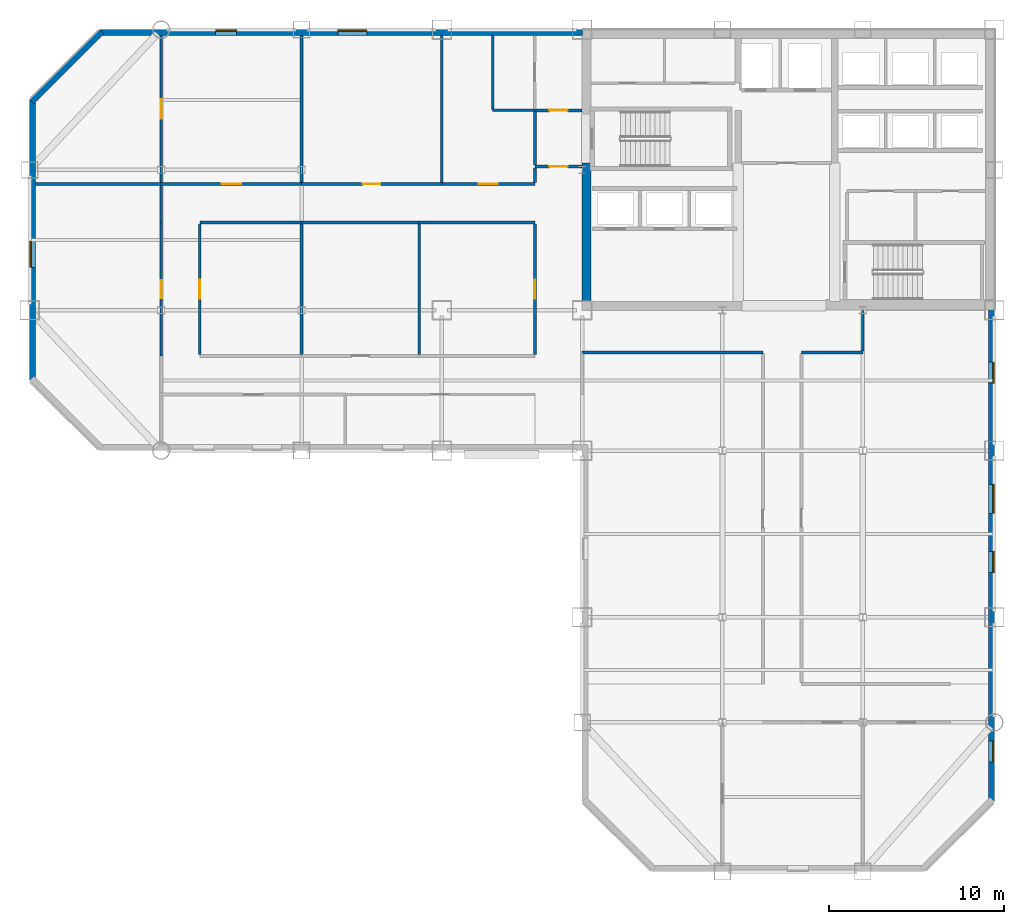
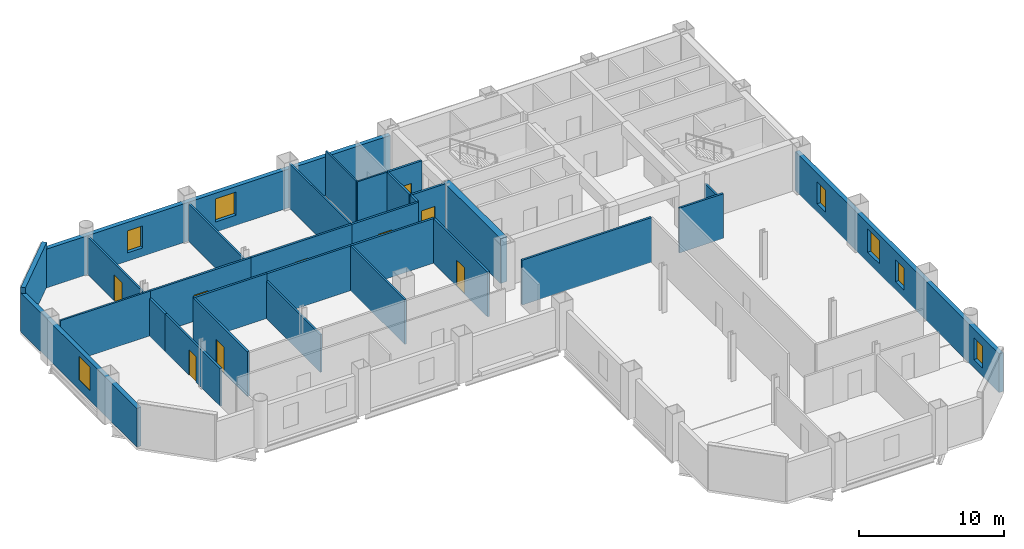
# One storey, part 6 of 10: 30 walls, 9 doors, 7 windows, 16 openings.
"""IFC4 building model written with IfcOpenShell, lengths in metres."""

from ifc_helpers import new_model, si_unit, direction, frame, frame_2d, origin, place, context, subcontext, project, spatial, rectangle, extrude, material, layer, layer_set, type_object, element, fill, save


model = new_model("IFC4")

# Units and contexts
model_context = context("Model", 3, precision=1e-05, world=origin(), true_north=direction((0.0, 1.0)))
body_context = subcontext(model_context, "Body", "Model", "MODEL_VIEW")
ifc_project = project(units=[si_unit("LENGTHUNIT", "METRE"), si_unit("AREAUNIT", "SQUARE_METRE"), si_unit("VOLUMEUNIT", "CUBIC_METRE"), si_unit("PLANEANGLEUNIT", "RADIAN"), si_unit("MASSUNIT", "GRAM", prefix="KILO")], contexts=[model_context])

# Site, building, storey
site_placement = place(None, origin())
site = spatial("IfcSite", under=ifc_project, at=site_placement, CompositionType="ELEMENT")
building_placement = place(site_placement, origin())
building = spatial("IfcBuilding", under=site, at=building_placement, Name="Qianrong Seaharbour Tower", CompositionType="ELEMENT")
storey_placement = place(building_placement, frame((0.0, 0.0, 135.0)))
storey = spatial("IfcBuildingStorey", under=building, at=storey_placement, Name="L32", CompositionType="ELEMENT", Elevation=135.0)

# Wall
ifc_material_1 = material(Name="Concrete C60/75", Category="concrete")
ifc_layer_1 = layer(ifc_material_1, 0.5)
ifc_layer_set_1 = layer_set([ifc_layer_1], Name="Concrete C60/75")
wall_type_1 = type_object("IfcWallType", Name="WALL-CORE-500", PredefinedType="SHEAR", material=ifc_layer_set_1)
wall_1_placement = place(storey_placement, frame((40.75, 36.5, 0.0), z_axis=(0.0, 0.0, 1.0), x_axis=(0.0, 1.0, 0.0)))
element("IfcWall", 1, at=wall_1_placement, inside=storey, type_object=wall_type_1, Name="L32 West Core Shear Wall South", PredefinedType="SHEAR", context=body_context, shape_type="SweptSolid", body=[
    extrude(rectangle(XDim=7.89990234375, YDim=0.5, at=frame_2d((3.949951171875, 0.0))), origin(), (0.0, 0.0, 1.0), 3.764892578125),
])

# Wall, opening, door
ifc_material_2 = material(Name="Fire-rated acoustic gypsum board partition")
ifc_layer_2 = layer(ifc_material_2, 0.1650390625)
ifc_layer_set_2 = layer_set([ifc_layer_2], Name="Fire-rated acoustic gypsum board partition")
wall_type_2 = type_object("IfcWallType", Name="WALL-CORR-PART-165", PredefinedType="PARTITIONING", material=ifc_layer_set_2)
wall_2_placement = place(storey_placement, frame((37.800048828125, 47.39990234375, 0.0), z_axis=(0.0, 0.0, 1.0), x_axis=(1.0, 0.0, 0.0)))
wall_2 = element("IfcWall", 2, at=wall_2_placement, inside=storey, type_object=wall_type_2, Name="L32 Interior Partition Wall 001", PredefinedType="PARTITIONING", context=body_context, shape_type="SweptSolid", body=[
    extrude(rectangle(XDim=2.699951171875, YDim=0.1650390625, at=frame_2d((1.35009765625, 0.0))), origin(), (0.0, 0.0, 1.0), 3.764892578125),
])
opening_1_placement = place(wall_2_placement, frame((0.824951171875, 0.0, 0.0)))
opening_1 = element("IfcOpeningElement", 3, at=opening_1_placement, cuts=wall_2, Name="Opening DC-01", PredefinedType="OPENING", context=body_context, shape_type="SweptSolid", body=[
    extrude(rectangle(XDim=1.050048828125, YDim=2.14990234375, at=frame_2d((0.52490234375, 1.074951171875))), frame((0.0, 0.092529296875, 0.0), z_axis=(0.0, -1.0, 0.0), x_axis=(1.0, 0.0, 0.0)), (0.0, 0.0, 1.0), 0.18505859375),
])
ifc_material_3 = material(Name="Acoustic timber and galvanized steel fire door assembly", Category="steel")
door_type_1 = type_object("IfcDoorType", Name="DOOR-CORR-FD60-1050x2150", OperationType="NOTDEFINED", PredefinedType="DOOR", material=ifc_material_3)
door_1_placement = place(opening_1_placement, origin())
door_1 = element("IfcDoor", 4, at=door_1_placement, inside=storey, type_object=door_type_1, Name="L32 Smokeproof Stair Vestibule ST-1 Door", OperationType="SINGLE_SWING_LEFT", OverallHeight=2.14990234375, OverallWidth=1.050048828125, PredefinedType="DOOR", context=body_context, shape_type="SweptSolid", body=[
    extrude(rectangle(XDim=1.050048828125, YDim=2.14990234375, at=frame_2d((0.52490234375, 1.074951171875))), frame((0.0, 0.02490234375, 0.0), z_axis=(0.0, -1.0, 0.0), x_axis=(1.0, 0.0, 0.0)), (0.0, 0.0, 1.0), 0.050048828125),
])
fill(opening_1, door_1)

wall_3_placement = place(storey_placement, frame((40.5, 44.199951171875, 0.0), z_axis=(0.0, 0.0, 1.0), x_axis=(-1.0, 0.0, 0.0)))
wall_3 = element("IfcWall", 5, at=wall_3_placement, inside=storey, type_object=wall_type_2, Name="L32 Interior Partition Wall 002", PredefinedType="PARTITIONING", context=body_context, shape_type="SweptSolid", body=[
    extrude(rectangle(XDim=2.699951171875, YDim=0.1650390625, at=frame_2d((1.35009765625, 0.0))), origin(), (0.0, 0.0, 1.0), 3.764892578125),
])
opening_2_placement = place(wall_3_placement, frame((0.824951171875, 0.0, 0.0)))
opening_2 = element("IfcOpeningElement", 6, at=opening_2_placement, cuts=wall_3, Name="Opening DC-01", PredefinedType="OPENING", context=body_context, shape_type="SweptSolid", body=[
    extrude(rectangle(XDim=1.050048828125, YDim=2.14990234375, at=frame_2d((0.52490234375, 1.074951171875))), frame((0.0, 0.092529296875, 0.0), z_axis=(0.0, -1.0, 0.0), x_axis=(1.0, 0.0, 0.0)), (0.0, 0.0, 1.0), 0.18505859375),
])
door_2_placement = place(opening_2_placement, origin())
door_2 = element("IfcDoor", 7, at=door_2_placement, inside=storey, type_object=door_type_1, Name="L32 Smokeproof Stair Vestibule ST-1 Door", OperationType="SINGLE_SWING_RIGHT", OverallHeight=2.14990234375, OverallWidth=1.050048828125, PredefinedType="DOOR", context=body_context, shape_type="SweptSolid", body=[
    extrude(rectangle(XDim=1.050048828125, YDim=2.14990234375, at=frame_2d((0.52490234375, 1.074951171875))), frame((0.0, 0.02490234375, 0.0), z_axis=(0.0, -1.0, 0.0), x_axis=(1.0, 0.0, 0.0)), (0.0, 0.0, 1.0), 0.050048828125),
])
fill(opening_2, door_2)

# Wall
wall_4_placement = place(storey_placement, frame((37.800048828125, 44.2744140625, 0.0), z_axis=(0.0, 0.0, 1.0), x_axis=(0.0, 1.0, 0.0)))
element("IfcWall", 8, at=wall_4_placement, inside=storey, type_object=wall_type_2, Name="L32 Interior Partition Wall 003", PredefinedType="PARTITIONING", context=body_context, shape_type="SweptSolid", body=[
    extrude(rectangle(XDim=3.051025390625, YDim=0.1650390625, at=frame_2d((1.525390625, 0.0))), origin(), (0.0, 0.0, 1.0), 3.764892578125),
])

# Wall, opening, door
wall_5_placement = place(storey_placement, frame((16.5, 43.199951171875, 0.0), z_axis=(0.0, 0.0, 1.0), x_axis=(1.0, 0.0, 0.0)))
wall_5 = element("IfcWall", 9, at=wall_5_placement, inside=storey, type_object=wall_type_2, Name="L32 Interior Partition Wall 021", PredefinedType="PARTITIONING", context=body_context, shape_type="SweptSolid", body=[
    extrude(rectangle(XDim=8.0, YDim=0.1650390625, at=frame_2d((4.0, 0.0))), origin(), (0.0, 0.0, 1.0), 3.764892578125),
])
opening_3_placement = place(wall_5_placement, frame((3.449951171875, 0.0, 0.0)))
opening_3 = element("IfcOpeningElement", 10, at=opening_3_placement, cuts=wall_5, Name="Opening DM-01", PredefinedType="OPENING", context=body_context, shape_type="SweptSolid", body=[
    extrude(rectangle(XDim=1.10009765625, YDim=2.199951171875, at=frame_2d((0.550048828125, 1.10009765625))), frame((0.0, 0.092529296875, 0.0), z_axis=(0.0, -1.0, 0.0), x_axis=(1.0, 0.0, 0.0)), (0.0, 0.0, 1.0), 0.18505859375),
])
door_type_2 = type_object("IfcDoorType", Name="DOOR-MEET-1100x2200", OperationType="NOTDEFINED", PredefinedType="DOOR", material=ifc_material_3)
door_3_placement = place(opening_3_placement, origin())
door_3 = element("IfcDoor", 11, at=door_3_placement, inside=storey, type_object=door_type_2, Name="L32 Meeting Room 2 Door", OperationType="SINGLE_SWING_LEFT", OverallHeight=2.199951171875, OverallWidth=1.10009765625, PredefinedType="DOOR", context=body_context, shape_type="SweptSolid", body=[
    extrude(rectangle(XDim=1.10009765625, YDim=2.199951171875, at=frame_2d((0.550048828125, 1.10009765625))), frame((0.0, 0.02490234375, 0.0), z_axis=(0.0, -1.0, 0.0), x_axis=(1.0, 0.0, 0.0)), (0.0, 0.0, 1.0), 0.050048828125),
])
fill(opening_3, door_3)

wall_6_placement = place(storey_placement, frame((24.5, 43.199951171875, 0.0), z_axis=(0.0, 0.0, 1.0), x_axis=(1.0, 0.0, 0.0)))
wall_6 = element("IfcWall", 12, at=wall_6_placement, inside=storey, type_object=wall_type_2, Name="L32 Interior Partition Wall 022", PredefinedType="PARTITIONING", context=body_context, shape_type="SweptSolid", body=[
    extrude(rectangle(XDim=8.0, YDim=0.1650390625, at=frame_2d((4.0, 0.0))), origin(), (0.0, 0.0, 1.0), 3.764892578125),
])
opening_4_placement = place(wall_6_placement, frame((3.5, 0.0, 0.0)))
opening_4 = element("IfcOpeningElement", 13, at=opening_4_placement, cuts=wall_6, Name="Opening DO-01", PredefinedType="OPENING", context=body_context, shape_type="SweptSolid", body=[
    extrude(rectangle(XDim=1.0, YDim=2.14990234375, at=frame_2d((0.5, 1.074951171875))), frame((0.0, 0.092529296875, 0.0), z_axis=(0.0, -1.0, 0.0), x_axis=(1.0, 0.0, 0.0)), (0.0, 0.0, 1.0), 0.18505859375),
])
door_type_3 = type_object("IfcDoorType", Name="DOOR-OFFICE-1000x2150", OperationType="NOTDEFINED", PredefinedType="DOOR", material=ifc_material_3)
door_4_placement = place(opening_4_placement, origin())
door_4 = element("IfcDoor", 14, at=door_4_placement, inside=storey, type_object=door_type_3, Name="L32 Project Library 3 Door", OperationType="SINGLE_SWING_RIGHT", OverallHeight=2.14990234375, OverallWidth=1.0, PredefinedType="DOOR", context=body_context, shape_type="SweptSolid", body=[
    extrude(rectangle(XDim=1.0, YDim=2.14990234375, at=frame_2d((0.5, 1.074951171875))), frame((0.0, 0.02490234375, 0.0), z_axis=(0.0, -1.0, 0.0), x_axis=(1.0, 0.0, 0.0)), (0.0, 0.0, 1.0), 0.050048828125),
])
fill(opening_4, door_4)

wall_7_placement = place(storey_placement, frame((32.5, 43.199951171875, 0.0), z_axis=(0.0, 0.0, 1.0), x_axis=(1.0, 0.0, 0.0)))
wall_7 = element("IfcWall", 15, at=wall_7_placement, inside=storey, type_object=wall_type_2, Name="L32 Interior Partition Wall 023", PredefinedType="PARTITIONING", context=body_context, shape_type="SweptSolid", body=[
    extrude(rectangle(XDim=5.300048828125, YDim=0.1650390625, at=frame_2d((2.64990234375, 0.0))), origin(), (0.0, 0.0, 1.0), 3.764892578125),
])
opening_5_placement = place(wall_7_placement, frame((2.10009765625, 0.0, 0.0)))
opening_5 = element("IfcOpeningElement", 16, at=opening_5_placement, cuts=wall_7, Name="Opening DM-01", PredefinedType="OPENING", context=body_context, shape_type="SweptSolid", body=[
    extrude(rectangle(XDim=1.10009765625, YDim=2.199951171875, at=frame_2d((0.550048828125, 1.10009765625))), frame((0.0, 0.092529296875, 0.0), z_axis=(0.0, -1.0, 0.0), x_axis=(1.0, 0.0, 0.0)), (0.0, 0.0, 1.0), 0.18505859375),
])
door_5_placement = place(opening_5_placement, origin())
door_5 = element("IfcDoor", 17, at=door_5_placement, inside=storey, type_object=door_type_2, Name="L32 Training Seminar Room 4 Door", OperationType="SINGLE_SWING_LEFT", OverallHeight=2.199951171875, OverallWidth=1.10009765625, PredefinedType="DOOR", context=body_context, shape_type="SweptSolid", body=[
    extrude(rectangle(XDim=1.10009765625, YDim=2.199951171875, at=frame_2d((0.550048828125, 1.10009765625))), frame((0.0, 0.02490234375, 0.0), z_axis=(0.0, -1.0, 0.0), x_axis=(1.0, 0.0, 0.0)), (0.0, 0.0, 1.0), 0.050048828125),
])
fill(opening_5, door_5)

# Walls
wall_8_placement = place(storey_placement, frame((24.5, 41.0, 0.0), z_axis=(0.0, 0.0, 1.0), x_axis=(-1.0, 0.0, 0.0)))
element("IfcWall", 18, at=wall_8_placement, inside=storey, type_object=wall_type_2, Name="L32 Interior Partition Wall 024", PredefinedType="PARTITIONING", context=body_context, shape_type="SweptSolid", body=[
    extrude(rectangle(XDim=5.800048828125, YDim=0.1650390625, at=frame_2d((2.89990234375, 0.0))), origin(), (0.0, 0.0, 1.0), 3.764892578125),
])
wall_9_placement = place(storey_placement, frame((31.199951171875, 41.0, 0.0), z_axis=(0.0, 0.0, 1.0), x_axis=(-1.0, 0.0, 0.0)))
element("IfcWall", 19, at=wall_9_placement, inside=storey, type_object=wall_type_2, Name="L32 Interior Partition Wall 025", PredefinedType="PARTITIONING", context=body_context, shape_type="SweptSolid", body=[
    extrude(rectangle(XDim=6.699951171875, YDim=0.1650390625, at=frame_2d((3.35009765625, 0.0))), origin(), (0.0, 0.0, 1.0), 3.764892578125),
])
wall_10_placement = place(storey_placement, frame((37.800048828125, 41.0, 0.0), z_axis=(0.0, 0.0, 1.0), x_axis=(-1.0, 0.0, 0.0)))
element("IfcWall", 20, at=wall_10_placement, inside=storey, type_object=wall_type_2, Name="L32 Interior Partition Wall 026", PredefinedType="PARTITIONING", context=body_context, shape_type="SweptSolid", body=[
    extrude(rectangle(XDim=6.60009765625, YDim=0.1650390625, at=frame_2d((3.300048828125, 0.0))), origin(), (0.0, 0.0, 1.0), 3.764892578125),
])
wall_11_placement = place(storey_placement, frame((16.5, 41.0, 0.0), z_axis=(0.0, 0.0, 1.0), x_axis=(0.0, 1.0, 0.0)))
element("IfcWall", 21, at=wall_11_placement, inside=storey, type_object=wall_type_2, Name="L32 Interior Partition Wall 027", PredefinedType="PARTITIONING", context=body_context, shape_type="SweptSolid", body=[
    extrude(rectangle(XDim=2.12548828125, YDim=0.1650390625, at=frame_2d((1.062744140625, 0.0))), origin(), (0.0, 0.0, 1.0), 3.156982421875),
])

# Wall, opening, door
wall_12_placement = place(storey_placement, frame((18.699951171875, 40.925537109375, 0.0), z_axis=(0.0, 0.0, 1.0), x_axis=(0.0, -1.0, 0.0)))
wall_12 = element("IfcWall", 22, at=wall_12_placement, inside=storey, type_object=wall_type_2, Name="L32 Interior Partition Wall 028", PredefinedType="PARTITIONING", context=body_context, shape_type="SweptSolid", body=[
    extrude(rectangle(XDim=7.450927734375, YDim=0.1650390625, at=frame_2d((3.7255859375, 0.0))), origin(), (0.0, 0.0, 1.0), 3.764892578125),
])
opening_6_placement = place(wall_12_placement, frame((3.175537109375, 0.0, 0.0)))
opening_6 = element("IfcOpeningElement", 23, at=opening_6_placement, cuts=wall_12, Name="Opening DM-01", PredefinedType="OPENING", context=body_context, shape_type="SweptSolid", body=[
    extrude(rectangle(XDim=1.10009765625, YDim=2.199951171875, at=frame_2d((0.550048828125, 1.10009765625))), frame((0.0, 0.092529296875, 0.0), z_axis=(0.0, -1.0, 0.0), x_axis=(1.0, 0.0, 0.0)), (0.0, 0.0, 1.0), 0.18505859375),
])
door_6_placement = place(opening_6_placement, origin())
door_6 = element("IfcDoor", 24, at=door_6_placement, inside=storey, type_object=door_type_2, Name="L32 Conference Room 1 Door", OperationType="SINGLE_SWING_RIGHT", OverallHeight=2.199951171875, OverallWidth=1.10009765625, PredefinedType="DOOR", context=body_context, shape_type="SweptSolid", body=[
    extrude(rectangle(XDim=1.10009765625, YDim=2.199951171875, at=frame_2d((0.550048828125, 1.10009765625))), frame((0.0, 0.02490234375, 0.0), z_axis=(0.0, -1.0, 0.0), x_axis=(1.0, 0.0, 0.0)), (0.0, 0.0, 1.0), 0.050048828125),
])
fill(opening_6, door_6)

wall_13_placement = place(storey_placement, frame((16.5, 33.39990234375, 0.0), z_axis=(0.0, 0.0, 1.0), x_axis=(0.0, 1.0, 0.0)))
wall_13 = element("IfcWall", 25, at=wall_13_placement, inside=storey, type_object=wall_type_2, Name="L32 Interior Partition Wall 029", PredefinedType="PARTITIONING", context=body_context, shape_type="SweptSolid", body=[
    extrude(rectangle(XDim=7.60009765625, YDim=0.1650390625, at=frame_2d((3.800048828125, 0.0))), origin(), (0.0, 0.0, 1.0), 3.156982421875),
])
opening_7_placement = place(wall_13_placement, frame((3.300048828125, 0.0, 0.0)))
opening_7 = element("IfcOpeningElement", 26, at=opening_7_placement, cuts=wall_13, Name="Opening DO-01", PredefinedType="OPENING", context=body_context, shape_type="SweptSolid", body=[
    extrude(rectangle(XDim=1.0, YDim=2.14990234375, at=frame_2d((0.5, 1.074951171875))), frame((0.0, 0.092529296875, 0.0), z_axis=(0.0, -1.0, 0.0), x_axis=(1.0, 0.0, 0.0)), (0.0, 0.0, 1.0), 0.18505859375),
])
door_7_placement = place(opening_7_placement, origin())
door_7 = element("IfcDoor", 27, at=door_7_placement, inside=storey, type_object=door_type_3, Name="L32 West Harbour Lecture Hall Door", OperationType="SINGLE_SWING_LEFT", OverallHeight=2.14990234375, OverallWidth=1.0, PredefinedType="DOOR", context=body_context, shape_type="SweptSolid", body=[
    extrude(rectangle(XDim=1.0, YDim=2.14990234375, at=frame_2d((0.5, 1.074951171875))), frame((0.0, 0.02490234375, 0.0), z_axis=(0.0, -1.0, 0.0), x_axis=(1.0, 0.0, 0.0)), (0.0, 0.0, 1.0), 0.050048828125),
])
fill(opening_7, door_7)

# Wall
wall_14_placement = place(storey_placement, frame((37.800048828125, 43.2744140625, 0.0), z_axis=(0.0, 0.0, 1.0), x_axis=(0.0, 1.0, 0.0)))
element("IfcWall", 28, at=wall_14_placement, inside=storey, type_object=wall_type_2, Name="L32 Interior Partition Wall 031", PredefinedType="PARTITIONING", context=body_context, shape_type="SweptSolid", body=[
    extrude(rectangle(XDim=0.85107421875, YDim=0.1650390625, at=frame_2d((0.425537109375, 0.0))), origin(), (0.0, 0.0, 1.0), 3.764892578125),
])

# Wall, opening, door
wall_15_placement = place(storey_placement, frame((37.800048828125, 33.474609375, 0.0), z_axis=(0.0, 0.0, 1.0), x_axis=(0.0, 1.0, 0.0)))
wall_15 = element("IfcWall", 29, at=wall_15_placement, inside=storey, type_object=wall_type_2, Name="L32 Interior Partition Wall 032", PredefinedType="PARTITIONING", context=body_context, shape_type="SweptSolid", body=[
    extrude(rectangle(XDim=7.450927734375, YDim=0.1650390625, at=frame_2d((3.7255859375, 0.0))), origin(), (0.0, 0.0, 1.0), 3.764892578125),
])
opening_8_placement = place(wall_15_placement, frame((3.175537109375, 0.0, 0.0)))
opening_8 = element("IfcOpeningElement", 30, at=opening_8_placement, cuts=wall_15, Name="Opening DM-01", PredefinedType="OPENING", context=body_context, shape_type="SweptSolid", body=[
    extrude(rectangle(XDim=1.10009765625, YDim=2.199951171875, at=frame_2d((0.550048828125, 1.10009765625))), frame((0.0, 0.092529296875, 0.0), z_axis=(0.0, -1.0, 0.0), x_axis=(1.0, 0.0, 0.0)), (0.0, 0.0, 1.0), 0.18505859375),
])
door_8_placement = place(opening_8_placement, origin())
door_8 = element("IfcDoor", 31, at=door_8_placement, inside=storey, type_object=door_type_2, Name="L32 Briefing Room 3 Door", OperationType="SINGLE_SWING_RIGHT", OverallHeight=2.199951171875, OverallWidth=1.10009765625, PredefinedType="DOOR", context=body_context, shape_type="SweptSolid", body=[
    extrude(rectangle(XDim=1.10009765625, YDim=2.199951171875, at=frame_2d((0.550048828125, 1.10009765625))), frame((0.0, 0.02490234375, 0.0), z_axis=(0.0, -1.0, 0.0), x_axis=(1.0, 0.0, 0.0)), (0.0, 0.0, 1.0), 0.050048828125),
])
fill(opening_8, door_8)

# Walls
wall_16_placement = place(storey_placement, frame((56.5, 36.0, 0.0), z_axis=(0.0, 0.0, 1.0), x_axis=(0.0, -1.0, 0.0)))
element("IfcWall", 32, at=wall_16_placement, inside=storey, type_object=wall_type_2, Name="L32 Interior Partition Wall 033", PredefinedType="PARTITIONING", context=body_context, shape_type="SweptSolid", body=[
    extrude(rectangle(XDim=2.325439453125, YDim=0.1650390625, at=frame_2d((1.16259765625, 0.0))), origin(), (0.0, 0.0, 1.0), 3.156982421875),
])
wall_17_placement = place(storey_placement, frame((56.5, 33.60009765625, 0.0), z_axis=(0.0, 0.0, 1.0), x_axis=(-1.0, 0.0, 0.0)))
element("IfcWall", 33, at=wall_17_placement, inside=storey, type_object=wall_type_2, Name="L32 Interior Partition Wall 034", PredefinedType="PARTITIONING", context=body_context, shape_type="SweptSolid", body=[
    extrude(rectangle(XDim=3.5, YDim=0.1650390625, at=frame_2d((1.75, 0.0))), origin(), (0.0, 0.0, 1.0), 3.764892578125),
])
wall_18_placement = place(storey_placement, frame((50.800048828125, 33.60009765625, 0.0), z_axis=(0.0, 0.0, 1.0), x_axis=(-1.0, 0.0, 0.0)))
element("IfcWall", 34, at=wall_18_placement, inside=storey, type_object=wall_type_2, Name="L32 Interior Partition Wall 035", PredefinedType="PARTITIONING", context=body_context, shape_type="SweptSolid", body=[
    extrude(rectangle(XDim=10.300048828125, YDim=0.1650390625, at=frame_2d((5.14990234375, 0.0))), origin(), (0.0, 0.0, 1.0), 3.764892578125),
])

# Wall, opening, window
ifc_material_4 = material(Name="Unitised buff brick on Precast concrete C45/55", Category="masonry")
ifc_layer_3 = layer(ifc_material_4, 0.340087890625)
ifc_layer_set_3 = layer_set([ifc_layer_3], Name="Unitised buff brick on Precast concrete C45/55")
wall_type_3 = type_object("IfcWallType", Name="WALL-EXT-BRICK-BUFF-340", PredefinedType="SOLIDWALL", material=ifc_layer_set_3)
wall_19_placement = place(storey_placement, frame((9.169921875, 32.0, 0.0), z_axis=(0.0, 0.0, 1.0), x_axis=(0.0, 1.0, 0.0)))
wall_19 = element("IfcWall", 35, at=wall_19_placement, inside=storey, type_object=wall_type_3, Name="L32 Exterior Masonry Facade Wall WEST_TIP", PredefinedType="SOLIDWALL", context=body_context, shape_type="SweptSolid", body=[
    extrude(rectangle(XDim=16.0, YDim=0.340087890625, at=frame_2d((8.0, 0.0))), origin(), (0.0, 0.0, 1.0), 3.264892578125),
])
opening_9_placement = place(wall_19_placement, frame((6.449951171875, 0.0, 0.85009765625)))
opening_9 = element("IfcOpeningElement", 36, at=opening_9_placement, cuts=wall_19, Name="Opening WN-03", PredefinedType="OPENING", context=body_context, shape_type="SweptSolid", body=[
    extrude(rectangle(XDim=1.5, YDim=1.949951171875, at=frame_2d((0.75, 0.97509765625))), frame((0.0, 0.18017578125, 0.0), z_axis=(0.0, -1.0, 0.0), x_axis=(1.0, 0.0, 0.0)), (0.0, 0.0, 1.0), 0.360107421875),
])
ifc_material_5 = material(Name="Insulated low-e double glazing in thermally broken aluminium 6063-T6 frame", Category="aluminium")
window_type_1 = type_object("IfcWindowType", Name="WIN-PUNCH-1500x1950", PartitioningType="DOUBLE_PANEL_VERTICAL", PredefinedType="WINDOW", material=ifc_material_5)
window_1_placement = place(opening_9_placement, origin())
window_1 = element("IfcWindow", 37, at=window_1_placement, inside=storey, type_object=window_type_1, Name="L32 Deep-Set Punched Window 03.02", OverallHeight=1.949951171875, OverallWidth=1.5, PartitioningType="DOUBLE_PANEL_VERTICAL", PredefinedType="WINDOW", context=body_context, shape_type="SweptSolid", body=[
    extrude(rectangle(XDim=1.5, YDim=1.949951171875, at=frame_2d((0.75, 0.97509765625))), frame((0.0, 0.150146484375, 0.0), z_axis=(0.0, -1.0, 0.0), x_axis=(1.0, 0.0, 0.0)), (0.0, 0.0, 1.0), 0.06005859375),
])
fill(opening_9, window_1)

# Wall
wall_20_placement = place(storey_placement, frame((9.1201171875, 47.8798828125, 0.0), z_axis=(0.0, 0.0, 1.0), x_axis=(0.707106781187, 0.707106781187, 0.0)))
element("IfcWall", 38, at=wall_20_placement, inside=storey, type_object=wall_type_3, Name="L32 Exterior Masonry Facade Wall E04", PredefinedType="SOLIDWALL", context=body_context, shape_type="SweptSolid", body=[
    extrude(rectangle(XDim=5.65673828125, YDim=0.340087890625, at=frame_2d((2.828369140625, 0.0))), origin(), (0.0, 0.0, 1.0), 3.764892578125),
])

# Wall, openings, windows
wall_21_placement = place(storey_placement, frame((13.0, 51.830078125, 0.0), z_axis=(0.0, 0.0, 1.0), x_axis=(1.0, 0.0, 0.0)))
wall_21 = element("IfcWall", 39, at=wall_21_placement, inside=storey, type_object=wall_type_3, Name="L32 Exterior Masonry Facade Wall NORTH_WING", PredefinedType="SOLIDWALL", context=body_context, shape_type="SweptSolid", body=[
    extrude(rectangle(XDim=27.52001953125, YDim=0.340087890625, at=frame_2d((13.760009765625, 0.0))), origin(), (0.0, 0.0, 1.0), 3.264892578125),
])
opening_10_placement = place(wall_21_placement, frame((6.60009765625, 0.0, 0.699951171875)))
opening_10 = element("IfcOpeningElement", 40, at=opening_10_placement, cuts=wall_21, Name="Opening WN-01", PredefinedType="OPENING", context=body_context, shape_type="SweptSolid", body=[
    extrude(rectangle(XDim=1.199951171875, YDim=1.85009765625, at=frame_2d((0.60009765625, 0.925048828125))), frame((0.0, 0.18017578125, 0.0), z_axis=(0.0, -1.0, 0.0), x_axis=(1.0, 0.0, 0.0)), (0.0, 0.0, 1.0), 0.360107421875),
])
opening_11_placement = place(wall_21_placement, frame((13.574951171875, 0.0, 0.85009765625)))
opening_11 = element("IfcOpeningElement", 41, at=opening_11_placement, cuts=wall_21, Name="Opening WN-04", PredefinedType="OPENING", context=body_context, shape_type="SweptSolid", body=[
    extrude(rectangle(XDim=1.64990234375, YDim=1.949951171875, at=frame_2d((0.824951171875, 0.97509765625))), frame((0.0, 0.18017578125, 0.0), z_axis=(0.0, -1.0, 0.0), x_axis=(1.0, 0.0, 0.0)), (0.0, 0.0, 1.0), 0.360107421875),
])
window_type_2 = type_object("IfcWindowType", Name="WIN-PUNCH-1200x1850", PartitioningType="DOUBLE_PANEL_VERTICAL", PredefinedType="WINDOW", material=ifc_material_5)
window_2_placement = place(opening_10_placement, origin())
window_2 = element("IfcWindow", 42, at=window_2_placement, inside=storey, type_object=window_type_2, Name="L32 Deep-Set Punched Window 05.02", OverallHeight=1.85009765625, OverallWidth=1.199951171875, PartitioningType="DOUBLE_PANEL_VERTICAL", PredefinedType="WINDOW", context=body_context, shape_type="SweptSolid", body=[
    extrude(rectangle(XDim=1.199951171875, YDim=1.85009765625, at=frame_2d((0.60009765625, 0.925048828125))), frame((0.0, 0.150146484375, 0.0), z_axis=(0.0, -1.0, 0.0), x_axis=(1.0, 0.0, 0.0)), (0.0, 0.0, 1.0), 0.06005859375),
])
fill(opening_10, window_2)
window_type_3 = type_object("IfcWindowType", Name="WIN-PUNCH-1650x1950", PartitioningType="DOUBLE_PANEL_VERTICAL", PredefinedType="WINDOW", material=ifc_material_5)
window_3_placement = place(opening_11_placement, origin())
window_3 = element("IfcWindow", 43, at=window_3_placement, inside=storey, type_object=window_type_3, Name="L32 Deep-Set Punched Window 05.04", OverallHeight=1.949951171875, OverallWidth=1.64990234375, PartitioningType="DOUBLE_PANEL_VERTICAL", PredefinedType="WINDOW", context=body_context, shape_type="SweptSolid", body=[
    extrude(rectangle(XDim=1.64990234375, YDim=1.949951171875, at=frame_2d((0.824951171875, 0.97509765625))), frame((0.0, 0.150146484375, 0.0), z_axis=(0.0, -1.0, 0.0), x_axis=(1.0, 0.0, 0.0)), (0.0, 0.0, 1.0), 0.06005859375),
])
fill(opening_11, window_3)

wall_22_placement = place(storey_placement, frame((63.830078125, 36.050048828125, 0.0), z_axis=(0.0, 0.0, 1.0), x_axis=(0.0, -1.0, 0.0)))
wall_22 = element("IfcWall", 44, at=wall_22_placement, inside=storey, type_object=wall_type_3, Name="L32 Exterior Masonry Facade Wall EAST_WING", PredefinedType="SOLIDWALL", context=body_context, shape_type="SweptSolid", body=[
    extrude(rectangle(XDim=28.050048828125, YDim=0.340087890625, at=frame_2d((14.02490234375, 0.0))), origin(), (0.0, 0.0, 1.0), 3.264892578125),
])
opening_12_placement = place(wall_22_placement, frame((3.0, 0.0, 0.699951171875)))
opening_12 = element("IfcOpeningElement", 45, at=opening_12_placement, cuts=wall_22, Name="Opening WN-01", PredefinedType="OPENING", context=body_context, shape_type="SweptSolid", body=[
    extrude(rectangle(XDim=1.199951171875, YDim=1.85009765625, at=frame_2d((0.60009765625, 0.925048828125))), frame((0.0, 0.18017578125, 0.0), z_axis=(0.0, -1.0, 0.0), x_axis=(1.0, 0.0, 0.0)), (0.0, 0.0, 1.0), 0.360107421875),
])
opening_13_placement = place(wall_22_placement, frame((9.97509765625, 0.0, 0.85009765625)))
opening_13 = element("IfcOpeningElement", 46, at=opening_13_placement, cuts=wall_22, Name="Opening WN-04", PredefinedType="OPENING", context=body_context, shape_type="SweptSolid", body=[
    extrude(rectangle(XDim=1.64990234375, YDim=1.949951171875, at=frame_2d((0.824951171875, 0.97509765625))), frame((0.0, 0.18017578125, 0.0), z_axis=(0.0, -1.0, 0.0), x_axis=(1.0, 0.0, 0.0)), (0.0, 0.0, 1.0), 0.360107421875),
])
opening_14_placement = place(wall_22_placement, frame((13.800048828125, 0.0, 0.699951171875)))
opening_14 = element("IfcOpeningElement", 47, at=opening_14_placement, cuts=wall_22, Name="Opening WN-01", PredefinedType="OPENING", context=body_context, shape_type="SweptSolid", body=[
    extrude(rectangle(XDim=1.199951171875, YDim=1.85009765625, at=frame_2d((0.60009765625, 0.925048828125))), frame((0.0, 0.18017578125, 0.0), z_axis=(0.0, -1.0, 0.0), x_axis=(1.0, 0.0, 0.0)), (0.0, 0.0, 1.0), 0.360107421875),
])
opening_15_placement = place(wall_22_placement, frame((24.60009765625, 0.0, 0.699951171875)))
opening_15 = element("IfcOpeningElement", 48, at=opening_15_placement, cuts=wall_22, Name="Opening WN-01", PredefinedType="OPENING", context=body_context, shape_type="SweptSolid", body=[
    extrude(rectangle(XDim=1.199951171875, YDim=1.85009765625, at=frame_2d((0.60009765625, 0.925048828125))), frame((0.0, 0.18017578125, 0.0), z_axis=(0.0, -1.0, 0.0), x_axis=(1.0, 0.0, 0.0)), (0.0, 0.0, 1.0), 0.360107421875),
])
window_4_placement = place(opening_12_placement, origin())
window_4 = element("IfcWindow", 49, at=window_4_placement, inside=storey, type_object=window_type_2, Name="L32 Deep-Set Punched Window 06.01", OverallHeight=1.85009765625, OverallWidth=1.199951171875, PartitioningType="DOUBLE_PANEL_VERTICAL", PredefinedType="WINDOW", context=body_context, shape_type="SweptSolid", body=[
    extrude(rectangle(XDim=1.199951171875, YDim=1.85009765625, at=frame_2d((0.60009765625, 0.925048828125))), frame((0.0, 0.150146484375, 0.0), z_axis=(0.0, -1.0, 0.0), x_axis=(1.0, 0.0, 0.0)), (0.0, 0.0, 1.0), 0.06005859375),
])
fill(opening_12, window_4)
window_5_placement = place(opening_14_placement, origin())
window_5 = element("IfcWindow", 50, at=window_5_placement, inside=storey, type_object=window_type_2, Name="L32 Deep-Set Punched Window 06.04", OverallHeight=1.85009765625, OverallWidth=1.199951171875, PartitioningType="DOUBLE_PANEL_VERTICAL", PredefinedType="WINDOW", context=body_context, shape_type="SweptSolid", body=[
    extrude(rectangle(XDim=1.199951171875, YDim=1.85009765625, at=frame_2d((0.60009765625, 0.925048828125))), frame((0.0, 0.150146484375, 0.0), z_axis=(0.0, -1.0, 0.0), x_axis=(1.0, 0.0, 0.0)), (0.0, 0.0, 1.0), 0.06005859375),
])
fill(opening_14, window_5)
window_6_placement = place(opening_15_placement, origin())
window_6 = element("IfcWindow", 51, at=window_6_placement, inside=storey, type_object=window_type_2, Name="L32 Deep-Set Punched Window 06.07", OverallHeight=1.85009765625, OverallWidth=1.199951171875, PartitioningType="DOUBLE_PANEL_VERTICAL", PredefinedType="WINDOW", context=body_context, shape_type="SweptSolid", body=[
    extrude(rectangle(XDim=1.199951171875, YDim=1.85009765625, at=frame_2d((0.60009765625, 0.925048828125))), frame((0.0, 0.150146484375, 0.0), z_axis=(0.0, -1.0, 0.0), x_axis=(1.0, 0.0, 0.0)), (0.0, 0.0, 1.0), 0.06005859375),
])
fill(opening_15, window_6)
window_7_placement = place(opening_13_placement, origin())
window_7 = element("IfcWindow", 52, at=window_7_placement, inside=storey, type_object=window_type_3, Name="L32 Deep-Set Punched Window 06.03", OverallHeight=1.949951171875, OverallWidth=1.64990234375, PartitioningType="DOUBLE_PANEL_VERTICAL", PredefinedType="WINDOW", context=body_context, shape_type="SweptSolid", body=[
    extrude(rectangle(XDim=1.64990234375, YDim=1.949951171875, at=frame_2d((0.824951171875, 0.97509765625))), frame((0.0, 0.150146484375, 0.0), z_axis=(0.0, -1.0, 0.0), x_axis=(1.0, 0.0, 0.0)), (0.0, 0.0, 1.0), 0.06005859375),
])
fill(opening_13, window_7)

# Wall, opening, door
ifc_material_6 = material(Name="Acoustic gypsum board stud partition")
ifc_layer_4 = layer(ifc_material_6, 0.14501953125)
ifc_layer_set_4 = layer_set([ifc_layer_4], Name="Acoustic gypsum board stud partition")
wall_type_4 = type_object("IfcWallType", Name="WALL-OFFICE-PART-145", PredefinedType="PARTITIONING", material=ifc_layer_set_4)
wall_23_placement = place(storey_placement, frame((16.5, 51.66796875, 0.0), z_axis=(0.0, 0.0, 1.0), x_axis=(0.0, -1.0, 0.0)))
wall_23 = element("IfcWall", 53, at=wall_23_placement, inside=storey, type_object=wall_type_4, Name="L32 Interior Partition Wall 042", PredefinedType="PARTITIONING", context=body_context, shape_type="SweptSolid", body=[
    extrude(rectangle(XDim=8.3935546875, YDim=0.14501953125, at=frame_2d((4.19677734375, 0.0))), origin(), (0.0, 0.0, 1.0), 3.156982421875),
])
opening_16_placement = place(wall_23_placement, frame((3.646728515625, 0.0, 0.0)))
opening_16 = element("IfcOpeningElement", 54, at=opening_16_placement, cuts=wall_23, Name="Opening DM-01", PredefinedType="OPENING", context=body_context, shape_type="SweptSolid", body=[
    extrude(rectangle(XDim=1.10009765625, YDim=2.199951171875, at=frame_2d((0.550048828125, 1.10009765625))), frame((0.0, 0.08251953125, 0.0), z_axis=(0.0, -1.0, 0.0), x_axis=(1.0, 0.0, 0.0)), (0.0, 0.0, 1.0), 0.1650390625),
])
door_9_placement = place(opening_16_placement, origin())
door_9 = element("IfcDoor", 55, at=door_9_placement, inside=storey, type_object=door_type_2, Name="L32 Boardroom 1 Door", OperationType="SINGLE_SWING_RIGHT", OverallHeight=2.199951171875, OverallWidth=1.10009765625, PredefinedType="DOOR", context=body_context, shape_type="SweptSolid", body=[
    extrude(rectangle(XDim=1.10009765625, YDim=2.199951171875, at=frame_2d((0.550048828125, 1.10009765625))), frame((0.0, 0.02490234375, 0.0), z_axis=(0.0, -1.0, 0.0), x_axis=(1.0, 0.0, 0.0)), (0.0, 0.0, 1.0), 0.050048828125),
])
fill(opening_16, door_9)

# Walls
wall_24_placement = place(storey_placement, frame((16.5, 43.199951171875, 0.0), z_axis=(0.0, 0.0, 1.0), x_axis=(-1.0, 0.0, 0.0)))
element("IfcWall", 56, at=wall_24_placement, inside=storey, type_object=wall_type_4, Name="L32 Interior Partition Wall 043", PredefinedType="PARTITIONING", context=body_context, shape_type="SweptSolid", body=[
    extrude(rectangle(XDim=7.16796875, YDim=0.14501953125, at=frame_2d((3.583984375, 0.0))), origin(), (0.0, 0.0, 1.0), 3.764892578125),
])
wall_25_placement = place(storey_placement, frame((24.5, 51.66796875, 0.0), z_axis=(0.0, 0.0, 1.0), x_axis=(0.0, -1.0, 0.0)))
element("IfcWall", 57, at=wall_25_placement, inside=storey, type_object=wall_type_4, Name="L32 Interior Partition Wall 044", PredefinedType="PARTITIONING", context=body_context, shape_type="SweptSolid", body=[
    extrude(rectangle(XDim=8.3935546875, YDim=0.14501953125, at=frame_2d((4.19677734375, 0.0))), origin(), (0.0, 0.0, 1.0), 3.156982421875),
])
wall_26_placement = place(storey_placement, frame((32.5, 51.66796875, 0.0), z_axis=(0.0, 0.0, 1.0), x_axis=(0.0, -1.0, 0.0)))
element("IfcWall", 58, at=wall_26_placement, inside=storey, type_object=wall_type_4, Name="L32 Interior Partition Wall 045", PredefinedType="PARTITIONING", context=body_context, shape_type="SweptSolid", body=[
    extrude(rectangle(XDim=8.3935546875, YDim=0.14501953125, at=frame_2d((4.19677734375, 0.0))), origin(), (0.0, 0.0, 1.0), 3.764892578125),
])
wall_27_placement = place(storey_placement, frame((24.5, 40.925537109375, 0.0), z_axis=(0.0, 0.0, 1.0), x_axis=(0.0, -1.0, 0.0)))
element("IfcWall", 59, at=wall_27_placement, inside=storey, type_object=wall_type_4, Name="L32 Interior Partition Wall 046", PredefinedType="PARTITIONING", context=body_context, shape_type="SweptSolid", body=[
    extrude(rectangle(XDim=7.450927734375, YDim=0.14501953125, at=frame_2d((3.7255859375, 0.0))), origin(), (0.0, 0.0, 1.0), 3.156982421875),
])
wall_28_placement = place(storey_placement, frame((31.199951171875, 40.925537109375, 0.0), z_axis=(0.0, 0.0, 1.0), x_axis=(0.0, -1.0, 0.0)))
element("IfcWall", 60, at=wall_28_placement, inside=storey, type_object=wall_type_4, Name="L32 Interior Partition Wall 047", PredefinedType="PARTITIONING", context=body_context, shape_type="SweptSolid", body=[
    extrude(rectangle(XDim=7.450927734375, YDim=0.14501953125, at=frame_2d((3.7255859375, 0.0))), origin(), (0.0, 0.0, 1.0), 3.764892578125),
])
ifc_material_7 = material(Name="Water-resistant cement board sanitary partition")
ifc_layer_5 = layer(ifc_material_7, 0.1298828125)
ifc_layer_set_5 = layer_set([ifc_layer_5], Name="Water-resistant cement board sanitary partition")
wall_type_5 = type_object("IfcWallType", Name="WALL-WET-PART-130", PredefinedType="PARTITIONING", material=ifc_layer_set_5)
wall_29_placement = place(storey_placement, frame((37.800048828125, 47.39990234375, 0.0), z_axis=(0.0, 0.0, 1.0), x_axis=(-1.0, 0.0, 0.0)))
element("IfcWall", 61, at=wall_29_placement, inside=storey, type_object=wall_type_5, Name="L32 Interior Partition Wall 005", PredefinedType="PARTITIONING", context=body_context, shape_type="SweptSolid", body=[
    extrude(rectangle(XDim=2.400146484375, YDim=0.1298828125, at=frame_2d((1.2001953125, 0.0))), origin(), (0.0, 0.0, 1.0), 3.764892578125),
])
wall_30_placement = place(storey_placement, frame((35.39990234375, 47.45703125, 0.0), z_axis=(0.0, 0.0, 1.0), x_axis=(0.0, 1.0, 0.0)))
element("IfcWall", 62, at=wall_30_placement, inside=storey, type_object=wall_type_5, Name="L32 Interior Partition Wall 006", PredefinedType="PARTITIONING", context=body_context, shape_type="SweptSolid", body=[
    extrude(rectangle(XDim=4.2109375, YDim=0.1298828125, at=frame_2d((2.10546875, 0.0))), origin(), (0.0, 0.0, 1.0), 3.764892578125),
])

save(model, "model.ifc")
